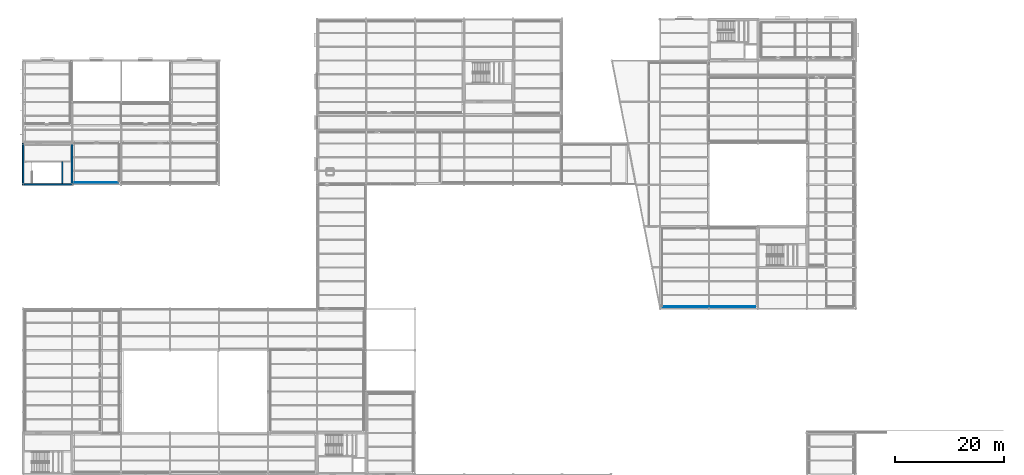
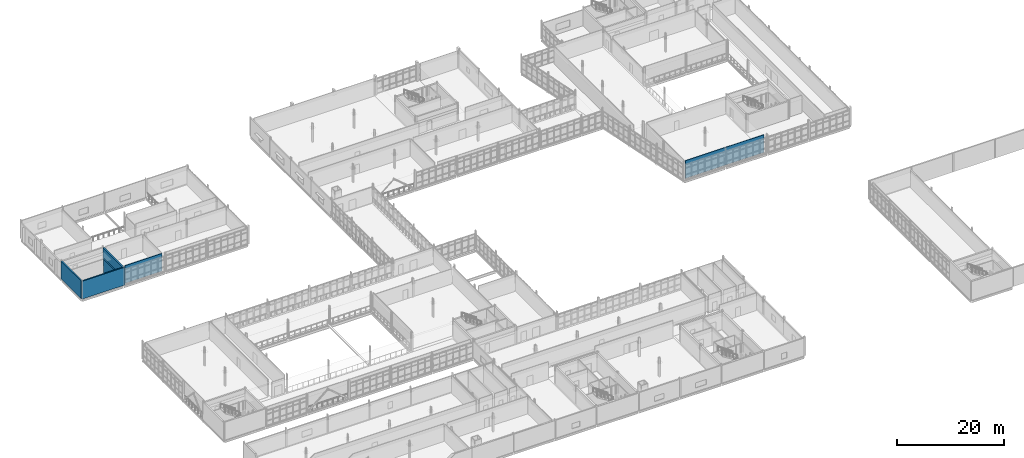
# One storey, part 157 of 174: 6 walls.
"""IFC4 building model written with IfcOpenShell, lengths in metres."""

from ifc_helpers import new_model, si_unit, direction, frame, frame_2d, origin, place, context, subcontext, project, spatial, rectangle, extrude, material, layer, layer_set, type_object, element, save


model = new_model("IFC4")

# Units and contexts
model_context = context("Model", 3, precision=1e-05, world=origin(), true_north=direction((0.0, 1.0)))
body_context = subcontext(model_context, "Body", "Model", "MODEL_VIEW")
ifc_project = project(units=[si_unit("LENGTHUNIT", "METRE"), si_unit("AREAUNIT", "SQUARE_METRE"), si_unit("VOLUMEUNIT", "CUBIC_METRE"), si_unit("PLANEANGLEUNIT", "RADIAN"), si_unit("MASSUNIT", "GRAM", prefix="KILO")], contexts=[model_context])

# Site, building, storey
site_placement = place(None, origin())
site = spatial("IfcSite", under=ifc_project, at=site_placement, CompositionType="ELEMENT")
building_placement = place(site_placement, origin())
building = spatial("IfcBuilding", under=site, at=building_placement, Name="Caisbarro Railhouse Central Library", CompositionType="ELEMENT")
storey_placement = place(building_placement, frame((0.0, 0.0, 5.0400390625)))
storey = spatial("IfcBuildingStorey", under=building, at=storey_placement, Name="L01", CompositionType="ELEMENT", Elevation=5.0400390625)

# Walls
ifc_material_1 = material(Name="Concrete C40", Category="concrete")
ifc_layer_1 = layer(ifc_material_1, 0.320068359375, Name="Concrete C40")
ifc_layer_set_1 = layer_set([ifc_layer_1], Name="Concrete C40")
wall_type_1 = type_object("IfcWallType", Name="WAL-CW32", PredefinedType="SHEAR", material=ifc_layer_set_1)
wall_1_placement = place(storey_placement, frame((9.0, 83.760009765625, 0.0), z_axis=(0.0, 0.0, 1.0), x_axis=(0.0, 1.0, 0.0)))
element("IfcWall", 1, at=wall_1_placement, inside=storey, type_object=wall_type_1, Name="CW32 RC core shear wall L01 #110", PredefinedType="SHEAR", context=body_context, shape_type="SweptSolid", body=[
    extrude(rectangle(XDim=7.280029296875, YDim=0.320068359375, at=frame_2d((3.64013671875, 0.0))), origin(), (0.0, 0.0, 1.0), 4.0400390625),
])
ifc_layer_2 = layer(ifc_material_1, 0.280029296875, Name="Concrete C40")
ifc_layer_set_2 = layer_set([ifc_layer_2], Name="Concrete C40")
wall_type_2 = type_object("IfcWallType", Name="WAL-EW28", PredefinedType="SOLIDWALL", material=ifc_layer_set_2)
wall_2_placement = place(storey_placement, frame((0.0, 83.60009765625, 0.0), z_axis=(0.0, 0.0, 1.0), x_axis=(1.0, 0.0, 0.0)))
element("IfcWall", 2, at=wall_2_placement, inside=storey, type_object=wall_type_2, Name="EW28 exterior wall L01 #148", PredefinedType="SOLIDWALL", context=body_context, shape_type="SweptSolid", body=[
    extrude(rectangle(XDim=9.2099609375, YDim=0.280029296875, at=frame_2d((4.60498046875, 0.0))), origin(), (0.0, 0.0, 1.0), 4.080078125),
])
wall_3_placement = place(storey_placement, frame((0.0, 83.60009765625, 0.0), z_axis=(0.0, 0.0, 1.0), x_axis=(0.0, 1.0, 0.0)))
element("IfcWall", 3, at=wall_3_placement, inside=storey, type_object=wall_type_2, Name="EW28 exterior wall L01 #153", PredefinedType="SOLIDWALL", context=body_context, shape_type="SweptSolid", body=[
    extrude(rectangle(XDim=7.599853515625, YDim=0.280029296875, at=frame_2d((3.7998046875, 0.0))), origin(), (0.0, 0.0, 1.0), 4.080078125),
])
ifc_material_2 = material(Name="Acoustic gypsum board on galvanised steel studs", Category="steel")
ifc_layer_3 = layer(ifc_material_2, 0.1298828125, Name="Acoustic gypsum board on galvanised steel studs")
ifc_layer_set_3 = layer_set([ifc_layer_3], Name="Acoustic gypsum board on galvanised steel studs")
wall_type_3 = type_object("IfcWallType", Name="WAL-IW13", PredefinedType="PARTITIONING", material=ifc_layer_set_3)
wall_4_placement = place(storey_placement, frame((117.52001953125, 61.199951171875, 0.0), z_axis=(0.0, 0.0, 1.0), x_axis=(1.0, 0.0, 0.0)))
element("IfcWall", 4, at=wall_4_placement, inside=storey, type_object=wall_type_3, Name="IW13 partition wall L01 #433", PredefinedType="PARTITIONING", context=body_context, shape_type="SweptSolid", body=[
    extrude(rectangle(XDim=16.9599609375, YDim=0.1298828125, at=frame_2d((8.47998046875, 0.0))), origin(), (0.0, 0.0, 1.0), 4.0400390625),
])
ifc_layer_4 = layer(ifc_material_2, 0.14990234375, Name="Acoustic gypsum board on galvanised steel studs")
ifc_layer_set_4 = layer_set([ifc_layer_4], Name="Acoustic gypsum board on galvanised steel studs")
wall_type_4 = type_object("IfcWallType", Name="WAL-IW15", PredefinedType="PARTITIONING", material=ifc_layer_set_4)
wall_5_placement = place(storey_placement, frame((9.52001953125, 84.0, 0.0), z_axis=(0.0, 0.0, 1.0), x_axis=(1.0, 0.0, 0.0)))
element("IfcWall", 5, at=wall_5_placement, inside=storey, type_object=wall_type_4, Name="IW15 partition wall L01 #412", PredefinedType="PARTITIONING", context=body_context, shape_type="SweptSolid", body=[
    extrude(rectangle(XDim=7.9599609375, YDim=0.14990234375, at=frame_2d((3.97998046875, 0.0))), origin(), (0.0, 0.0, 1.0), 4.0400390625),
])
ifc_layer_5 = layer(ifc_material_1, 0.2099609375, Name="Concrete C40")
ifc_layer_set_5 = layer_set([ifc_layer_5], Name="Concrete C40")
wall_type_5 = type_object("IfcWallType", Name="WAL-SW21", PredefinedType="SOLIDWALL", material=ifc_layer_set_5)
wall_6_placement = place(storey_placement, frame((7.199951171875, 83.800048828125, 0.0), z_axis=(0.0, 0.0, 1.0), x_axis=(0.0, 1.0, 0.0)))
element("IfcWall", 6, at=wall_6_placement, inside=storey, type_object=wall_type_5, Name="SW21 core shaft wall L01 #164", PredefinedType="SOLIDWALL", context=body_context, shape_type="SweptSolid", body=[
    extrude(rectangle(XDim=4.050048828125, YDim=0.2099609375, at=frame_2d((2.02490234375, 0.0))), origin(), (0.0, 0.0, 1.0), 4.0400390625),
])

save(model, "model.ifc")
